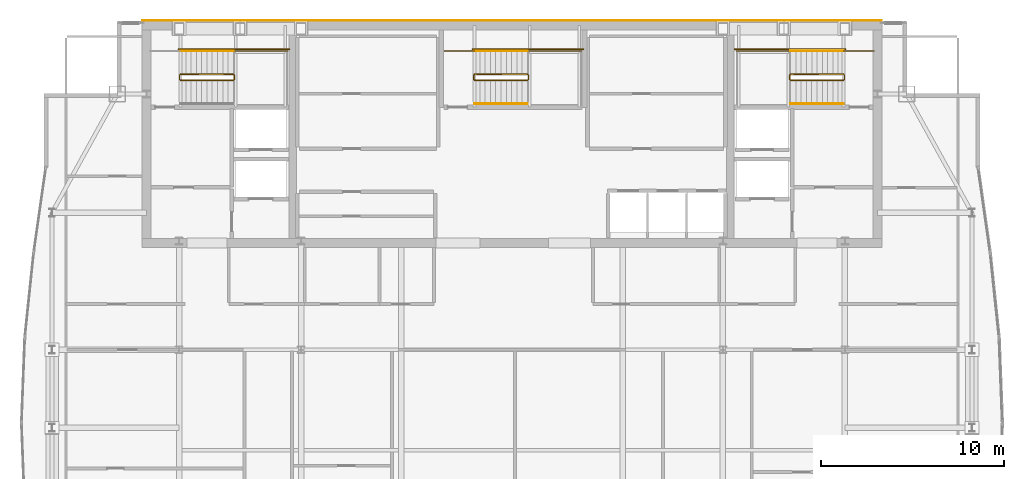
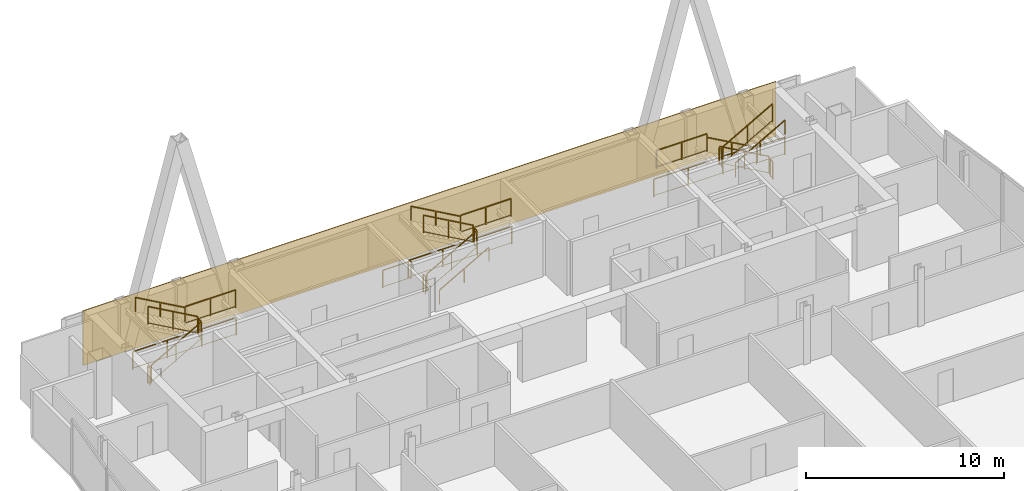
# One storey, part 29 of 29: 25 railings, 1 covering.
"""IFC4 building model written with IfcOpenShell, lengths in metres."""

from ifc_helpers import new_model, si_unit, direction, frame, origin, origin_2d, place, context, subcontext, project, spatial, polyline, rectangle, outline, extrude, material, layer, layer_set, type_object, element, save


model = new_model("IFC4")

# Units and contexts
model_context = context("Model", 3, precision=1e-05, world=origin(), true_north=direction((0.0, 1.0)))
body_context = subcontext(model_context, "Body", "Model", "MODEL_VIEW")
ifc_project = project(units=[si_unit("LENGTHUNIT", "METRE"), si_unit("AREAUNIT", "SQUARE_METRE"), si_unit("VOLUMEUNIT", "CUBIC_METRE"), si_unit("PLANEANGLEUNIT", "RADIAN"), si_unit("MASSUNIT", "GRAM", prefix="KILO")], contexts=[model_context])

# Site, building, storey
site_placement = place(None, origin())
site = spatial("IfcSite", under=ifc_project, at=site_placement, CompositionType="ELEMENT")
building_placement = place(site_placement, origin())
building = spatial("IfcBuilding", under=site, at=building_placement, Name="Khoronbel Lancet Exchange", CompositionType="ELEMENT")
storey_placement = place(building_placement, frame((0.0, 0.0, 302.199951171875)))
storey = spatial("IfcBuildingStorey", under=building, at=storey_placement, Name="L78", CompositionType="ELEMENT", Elevation=302.199951171875)

# Covering
ifc_material_1 = material(Name="Honed Egyptian Limestone & Bronze Rainscreen", Category="masonry")
ifc_layer = layer(ifc_material_1, 0.050048828125, Name="Honed Egyptian Limestone & Bronze Rainscreen")
ifc_layer_set = layer_set([ifc_layer], Name="Honed Egyptian Limestone & Bronze Rainscreen")
covering_type = type_object("IfcCoveringType", Name="COV-CLAD1", PredefinedType="CLADDING", material=ifc_layer_set)
covering_placement = place(storey_placement, origin())
element("IfcCovering", 1, at=covering_placement, inside=storey, type_object=covering_type, Name="Level L78 north rear-core stone and bronze rainscreen cladding", PredefinedType="CLADDING", context=body_context, shape_type="SweptSolid", body=[
    extrude(outline(polyline([(16.199951171875, 53.699951171875), (56.699951171875, 53.699951171875), (56.699951171875, 53.75), (16.199951171875, 53.75), (16.199951171875, 53.699951171875)])), origin(), (0.0, 0.0, 1.0), 3.380126953125),
])

# Railings
ifc_material_2 = material(Name="Painted Steel Balustrade", Category="steel")
railing_type_1 = type_object("IfcRailingType", Name="RL-STG110", PredefinedType="GUARDRAIL", material=ifc_material_2)
railing_1_placement = place(storey_placement, frame((18.300048828125, 50.449951171875, 0.16357421875)))
element("IfcRailing", 2, at=railing_1_placement, inside=storey, type_object=railing_type_1, Name="L78 ST1 stair guard 1", PredefinedType="GUARDRAIL", context=body_context, shape_type="SweptSolid", body=[
    extrude(rectangle(XDim=0.048095703125, YDim=0.048095703125, at=origin_2d()), frame((0.0, 0.0, 1.09619140625), z_axis=(0.870897200241, 0.0, 0.491465224214), x_axis=(0.0, 1.0, 0.0)), (0.0, 0.0, 1.0), 3.329833984375),
    extrude(rectangle(XDim=0.02392578125, YDim=0.02392578125, at=origin_2d()), frame((0.0, 0.0, 0.080078125), z_axis=(0.870897200241, 0.0, 0.491465224214), x_axis=(0.0, 1.0, 0.0)), (0.0, 0.0, 1.0), 3.329833984375),
    extrude(rectangle(XDim=0.0419921875, YDim=0.0419921875, at=origin_2d()), origin(), (0.0, 0.0, 1.0), 1.072021484375),
    extrude(rectangle(XDim=0.0419921875, YDim=0.0419921875, at=origin_2d()), frame((1.449951171875, 0.0, 0.818359375)), (0.0, 0.0, 1.0), 1.072021484375),
    extrude(rectangle(XDim=0.0419921875, YDim=0.0419921875, at=origin_2d()), frame((2.89990234375, 0.0, 1.636474609375)), (0.0, 0.0, 1.0), 1.072021484375),
])
railing_2_placement = place(storey_placement, frame((21.25, 50.5, 1.800048828125)))
element("IfcRailing", 3, at=railing_2_placement, inside=storey, type_object=railing_type_1, Name="L78 ST1 stair guard 2", PredefinedType="GUARDRAIL", context=body_context, shape_type="SweptSolid", body=[
    extrude(rectangle(XDim=0.048095703125, YDim=0.048095703125, at=origin_2d()), frame((0.0, 0.0, 1.09619140625), z_axis=(0.0, 1.0, 0.0), x_axis=(-1.0, 0.0, 0.0)), (0.0, 0.0, 1.0), 0.219970703125),
    extrude(rectangle(XDim=0.02392578125, YDim=0.02392578125, at=origin_2d()), frame((0.0, 0.0, 0.080078125), z_axis=(0.0, 1.0, 0.0), x_axis=(-1.0, 0.0, 0.0)), (0.0, 0.0, 1.0), 0.219970703125),
    extrude(rectangle(XDim=0.0419921875, YDim=0.0419921875, at=origin_2d()), origin(), (0.0, 0.0, 1.0), 1.072021484375),
    extrude(rectangle(XDim=0.0419921875, YDim=0.0419921875, at=origin_2d()), frame((0.0, 0.219970703125, 0.0)), (0.0, 0.0, 1.0), 1.072021484375),
])
railing_3_placement = place(storey_placement, frame((21.199951171875, 52.050048828125, 1.800048828125)))
element("IfcRailing", 4, at=railing_3_placement, inside=storey, type_object=railing_type_1, Name="L78 ST1 stair guard 3", PredefinedType="GUARDRAIL", context=body_context, shape_type="SweptSolid", body=[
    extrude(rectangle(XDim=0.048095703125, YDim=0.048095703125, at=origin_2d()), frame((0.0, 0.0, 1.09619140625), z_axis=(1.0, 0.0, 0.0), x_axis=(0.0, 1.0, 0.0)), (0.0, 0.0, 1.0), 2.949951171875),
    extrude(rectangle(XDim=0.02392578125, YDim=0.02392578125, at=origin_2d()), frame((0.0, 0.0, 0.080078125), z_axis=(1.0, 0.0, 0.0), x_axis=(0.0, 1.0, 0.0)), (0.0, 0.0, 1.0), 2.949951171875),
    extrude(rectangle(XDim=0.0419921875, YDim=0.0419921875, at=origin_2d()), origin(), (0.0, 0.0, 1.0), 1.072021484375),
    extrude(rectangle(XDim=0.0419921875, YDim=0.0419921875, at=origin_2d()), frame((1.47509765625, 0.0, 0.0)), (0.0, 0.0, 1.0), 1.072021484375),
    extrude(rectangle(XDim=0.0419921875, YDim=0.0419921875, at=origin_2d()), frame((2.949951171875, 0.0, 0.0)), (0.0, 0.0, 1.0), 1.072021484375),
])
railing_4_placement = place(storey_placement, frame((21.199951171875, 50.77001953125, 1.963623046875)))
element("IfcRailing", 5, at=railing_4_placement, inside=storey, type_object=railing_type_1, Name="L78 ST1 stair guard 4", PredefinedType="GUARDRAIL", context=body_context, shape_type="SweptSolid", body=[
    extrude(rectangle(XDim=0.048095703125, YDim=0.048095703125, at=origin_2d()), frame((0.0, 0.0, 1.09619140625), z_axis=(-0.870897200241, 0.0, 0.491465224214), x_axis=(0.0, -1.0, 0.0)), (0.0, 0.0, 1.0), 3.329833984375),
    extrude(rectangle(XDim=0.02392578125, YDim=0.02392578125, at=origin_2d()), frame((0.0, 0.0, 0.080078125), z_axis=(-0.870897200241, 0.0, 0.491465224214), x_axis=(0.0, -1.0, 0.0)), (0.0, 0.0, 1.0), 3.329833984375),
    extrude(rectangle(XDim=0.0419921875, YDim=0.0419921875, at=origin_2d()), origin(), (0.0, 0.0, 1.0), 1.072021484375),
    extrude(rectangle(XDim=0.0419921875, YDim=0.0419921875, at=origin_2d()), frame((-1.449951171875, 0.0, 0.818359375)), (0.0, 0.0, 1.0), 1.072021484375),
    extrude(rectangle(XDim=0.0419921875, YDim=0.0419921875, at=origin_2d()), frame((-2.89990234375, 0.0, 1.636474609375)), (0.0, 0.0, 1.0), 1.072021484375),
])
railing_5_placement = place(storey_placement, frame((18.25, 50.5, 0.0)))
element("IfcRailing", 6, at=railing_5_placement, inside=storey, type_object=railing_type_1, Name="L78 ST1 stair guard 5", PredefinedType="GUARDRAIL", context=body_context, shape_type="SweptSolid", body=[
    extrude(rectangle(XDim=0.048095703125, YDim=0.048095703125, at=origin_2d()), frame((0.0, 0.0, 1.09619140625), z_axis=(0.0, 1.0, 0.0), x_axis=(-1.0, 0.0, 0.0)), (0.0, 0.0, 1.0), 0.219970703125),
    extrude(rectangle(XDim=0.02392578125, YDim=0.02392578125, at=origin_2d()), frame((0.0, 0.0, 0.080078125), z_axis=(0.0, 1.0, 0.0), x_axis=(-1.0, 0.0, 0.0)), (0.0, 0.0, 1.0), 0.219970703125),
    extrude(rectangle(XDim=0.0419921875, YDim=0.0419921875, at=origin_2d()), origin(), (0.0, 0.0, 1.0), 1.072021484375),
    extrude(rectangle(XDim=0.0419921875, YDim=0.0419921875, at=origin_2d()), frame((0.0, 0.219970703125, 0.0)), (0.0, 0.0, 1.0), 1.072021484375),
])
railing_6_placement = place(storey_placement, frame((18.199951171875, 52.14990234375, 0.0)))
element("IfcRailing", 7, at=railing_6_placement, inside=storey, type_object=railing_type_1, Name="L78 ST1 stair guard 7", PredefinedType="GUARDRAIL", context=body_context, shape_type="SweptSolid", body=[
    extrude(rectangle(XDim=0.048095703125, YDim=0.048095703125, at=origin_2d()), frame((0.0, 0.0, 1.09619140625), z_axis=(1.0, 0.0, 0.0), x_axis=(0.0, 1.0, 0.0)), (0.0, 0.0, 1.0), 6.050048828125),
    extrude(rectangle(XDim=0.02392578125, YDim=0.02392578125, at=origin_2d()), frame((0.0, 0.0, 0.080078125), z_axis=(1.0, 0.0, 0.0), x_axis=(0.0, 1.0, 0.0)), (0.0, 0.0, 1.0), 6.050048828125),
    extrude(rectangle(XDim=0.0419921875, YDim=0.0419921875, at=origin_2d()), origin(), (0.0, 0.0, 1.0), 1.072021484375),
    extrude(rectangle(XDim=0.0419921875, YDim=0.0419921875, at=origin_2d()), frame((2.0166015625, 0.0, 0.0)), (0.0, 0.0, 1.0), 1.072021484375),
    extrude(rectangle(XDim=0.0419921875, YDim=0.0419921875, at=origin_2d()), frame((4.033447265625, 0.0, 0.0)), (0.0, 0.0, 1.0), 1.072021484375),
    extrude(rectangle(XDim=0.0419921875, YDim=0.0419921875, at=origin_2d()), frame((6.050048828125, 0.0, 0.0)), (0.0, 0.0, 1.0), 1.072021484375),
])
railing_7_placement = place(storey_placement, frame((54.60009765625, 50.77001953125, 0.16357421875)))
element("IfcRailing", 8, at=railing_7_placement, inside=storey, type_object=railing_type_1, Name="L78 ST2 stair guard 1", PredefinedType="GUARDRAIL", context=body_context, shape_type="SweptSolid", body=[
    extrude(rectangle(XDim=0.048095703125, YDim=0.048095703125, at=origin_2d()), frame((0.0, 0.0, 1.09619140625), z_axis=(-0.870914908162, 0.0, 0.491433843708), x_axis=(0.0, -1.0, 0.0)), (0.0, 0.0, 1.0), 3.330078125),
    extrude(rectangle(XDim=0.02392578125, YDim=0.02392578125, at=origin_2d()), frame((0.0, 0.0, 0.080078125), z_axis=(-0.870914908162, 0.0, 0.491433843708), x_axis=(0.0, -1.0, 0.0)), (0.0, 0.0, 1.0), 3.330078125),
    extrude(rectangle(XDim=0.0419921875, YDim=0.0419921875, at=origin_2d()), origin(), (0.0, 0.0, 1.0), 1.072021484375),
    extrude(rectangle(XDim=0.0419921875, YDim=0.0419921875, at=origin_2d()), frame((-1.4501953125, 0.0, 0.818359375)), (0.0, 0.0, 1.0), 1.072021484375),
    extrude(rectangle(XDim=0.0419921875, YDim=0.0419921875, at=origin_2d()), frame((-2.900146484375, 0.0, 1.636474609375)), (0.0, 0.0, 1.0), 1.072021484375),
])
railing_8_placement = place(storey_placement, frame((51.64990234375, 50.719970703125, 1.800048828125)))
element("IfcRailing", 9, at=railing_8_placement, inside=storey, type_object=railing_type_1, Name="L78 ST2 stair guard 2", PredefinedType="GUARDRAIL", context=body_context, shape_type="SweptSolid", body=[
    extrude(rectangle(XDim=0.048095703125, YDim=0.048095703125, at=origin_2d()), frame((0.0, 0.0, 1.09619140625), z_axis=(0.0, -1.0, 0.0), x_axis=(1.0, 0.0, 0.0)), (0.0, 0.0, 1.0), 0.219970703125),
    extrude(rectangle(XDim=0.02392578125, YDim=0.02392578125, at=origin_2d()), frame((0.0, 0.0, 0.080078125), z_axis=(0.0, -1.0, 0.0), x_axis=(1.0, 0.0, 0.0)), (0.0, 0.0, 1.0), 0.219970703125),
    extrude(rectangle(XDim=0.0419921875, YDim=0.0419921875, at=origin_2d()), origin(), (0.0, 0.0, 1.0), 1.072021484375),
    extrude(rectangle(XDim=0.0419921875, YDim=0.0419921875, at=origin_2d()), frame((0.0, -0.219970703125, 0.0)), (0.0, 0.0, 1.0), 1.072021484375),
])
railing_9_placement = place(storey_placement, frame((51.699951171875, 52.050048828125, 1.800048828125)))
element("IfcRailing", 10, at=railing_9_placement, inside=storey, type_object=railing_type_1, Name="L78 ST2 stair guard 3", PredefinedType="GUARDRAIL", context=body_context, shape_type="SweptSolid", body=[
    extrude(rectangle(XDim=0.048095703125, YDim=0.048095703125, at=origin_2d()), frame((0.0, 0.0, 1.09619140625), z_axis=(-1.0, 0.0, 0.0), x_axis=(0.0, -1.0, 0.0)), (0.0, 0.0, 1.0), 2.949951171875),
    extrude(rectangle(XDim=0.02392578125, YDim=0.02392578125, at=origin_2d()), frame((0.0, 0.0, 0.080078125), z_axis=(-1.0, 0.0, 0.0), x_axis=(0.0, -1.0, 0.0)), (0.0, 0.0, 1.0), 2.949951171875),
    extrude(rectangle(XDim=0.0419921875, YDim=0.0419921875, at=origin_2d()), origin(), (0.0, 0.0, 1.0), 1.072021484375),
    extrude(rectangle(XDim=0.0419921875, YDim=0.0419921875, at=origin_2d()), frame((-1.47509765625, 0.0, 0.0)), (0.0, 0.0, 1.0), 1.072021484375),
    extrude(rectangle(XDim=0.0419921875, YDim=0.0419921875, at=origin_2d()), frame((-2.949951171875, 0.0, 0.0)), (0.0, 0.0, 1.0), 1.072021484375),
])
railing_10_placement = place(storey_placement, frame((51.699951171875, 50.449951171875, 1.963623046875)))
element("IfcRailing", 11, at=railing_10_placement, inside=storey, type_object=railing_type_1, Name="L78 ST2 stair guard 4", PredefinedType="GUARDRAIL", context=body_context, shape_type="SweptSolid", body=[
    extrude(rectangle(XDim=0.048095703125, YDim=0.048095703125, at=origin_2d()), frame((0.0, 0.0, 1.09619140625), z_axis=(0.870914908162, 0.0, 0.491433843708), x_axis=(0.0, 1.0, 0.0)), (0.0, 0.0, 1.0), 3.330078125),
    extrude(rectangle(XDim=0.02392578125, YDim=0.02392578125, at=origin_2d()), frame((0.0, 0.0, 0.080078125), z_axis=(0.870914908162, 0.0, 0.491433843708), x_axis=(0.0, 1.0, 0.0)), (0.0, 0.0, 1.0), 3.330078125),
    extrude(rectangle(XDim=0.0419921875, YDim=0.0419921875, at=origin_2d()), origin(), (0.0, 0.0, 1.0), 1.072021484375),
    extrude(rectangle(XDim=0.0419921875, YDim=0.0419921875, at=origin_2d()), frame((1.4501953125, 0.0, 0.818359375)), (0.0, 0.0, 1.0), 1.072021484375),
    extrude(rectangle(XDim=0.0419921875, YDim=0.0419921875, at=origin_2d()), frame((2.900146484375, 0.0, 1.636474609375)), (0.0, 0.0, 1.0), 1.072021484375),
])
railing_11_placement = place(storey_placement, frame((54.64990234375, 50.719970703125, 0.0)))
element("IfcRailing", 12, at=railing_11_placement, inside=storey, type_object=railing_type_1, Name="L78 ST2 stair guard 5", PredefinedType="GUARDRAIL", context=body_context, shape_type="SweptSolid", body=[
    extrude(rectangle(XDim=0.048095703125, YDim=0.048095703125, at=origin_2d()), frame((0.0, 0.0, 1.09619140625), z_axis=(0.0, -1.0, 0.0), x_axis=(1.0, 0.0, 0.0)), (0.0, 0.0, 1.0), 0.219970703125),
    extrude(rectangle(XDim=0.02392578125, YDim=0.02392578125, at=origin_2d()), frame((0.0, 0.0, 0.080078125), z_axis=(0.0, -1.0, 0.0), x_axis=(1.0, 0.0, 0.0)), (0.0, 0.0, 1.0), 0.219970703125),
    extrude(rectangle(XDim=0.0419921875, YDim=0.0419921875, at=origin_2d()), origin(), (0.0, 0.0, 1.0), 1.072021484375),
    extrude(rectangle(XDim=0.0419921875, YDim=0.0419921875, at=origin_2d()), frame((0.0, -0.219970703125, 0.0)), (0.0, 0.0, 1.0), 1.072021484375),
])
railing_12_placement = place(storey_placement, frame((56.25, 52.050048828125, 0.0)))
element("IfcRailing", 13, at=railing_12_placement, inside=storey, type_object=railing_type_1, Name="L78 ST2 stair guard 6", PredefinedType="GUARDRAIL", context=body_context, shape_type="SweptSolid", body=[
    extrude(rectangle(XDim=0.048095703125, YDim=0.048095703125, at=origin_2d()), frame((0.0, 0.0, 1.09619140625), z_axis=(-1.0, 0.0, 0.0), x_axis=(0.0, -1.0, 0.0)), (0.0, 0.0, 1.0), 1.64990234375),
    extrude(rectangle(XDim=0.02392578125, YDim=0.02392578125, at=origin_2d()), frame((0.0, 0.0, 0.080078125), z_axis=(-1.0, 0.0, 0.0), x_axis=(0.0, -1.0, 0.0)), (0.0, 0.0, 1.0), 1.64990234375),
    extrude(rectangle(XDim=0.0419921875, YDim=0.0419921875, at=origin_2d()), origin(), (0.0, 0.0, 1.0), 1.072021484375),
    extrude(rectangle(XDim=0.0419921875, YDim=0.0419921875, at=origin_2d()), frame((-1.64990234375, 0.0, 0.0)), (0.0, 0.0, 1.0), 1.072021484375),
])
railing_13_placement = place(storey_placement, frame((54.699951171875, 52.14990234375, 0.0)))
element("IfcRailing", 14, at=railing_13_placement, inside=storey, type_object=railing_type_1, Name="L78 ST2 stair guard 7", PredefinedType="GUARDRAIL", context=body_context, shape_type="SweptSolid", body=[
    extrude(rectangle(XDim=0.048095703125, YDim=0.048095703125, at=origin_2d()), frame((0.0, 0.0, 1.09619140625), z_axis=(-1.0, 0.0, 0.0), x_axis=(0.0, -1.0, 0.0)), (0.0, 0.0, 1.0), 6.050048828125),
    extrude(rectangle(XDim=0.02392578125, YDim=0.02392578125, at=origin_2d()), frame((0.0, 0.0, 0.080078125), z_axis=(-1.0, 0.0, 0.0), x_axis=(0.0, -1.0, 0.0)), (0.0, 0.0, 1.0), 6.050048828125),
    extrude(rectangle(XDim=0.0419921875, YDim=0.0419921875, at=origin_2d()), origin(), (0.0, 0.0, 1.0), 1.072021484375),
    extrude(rectangle(XDim=0.0419921875, YDim=0.0419921875, at=origin_2d()), frame((-2.0166015625, 0.0, 0.0)), (0.0, 0.0, 1.0), 1.072021484375),
    extrude(rectangle(XDim=0.0419921875, YDim=0.0419921875, at=origin_2d()), frame((-4.033447265625, 0.0, 0.0)), (0.0, 0.0, 1.0), 1.072021484375),
    extrude(rectangle(XDim=0.0419921875, YDim=0.0419921875, at=origin_2d()), frame((-6.050048828125, 0.0, 0.0)), (0.0, 0.0, 1.0), 1.072021484375),
])
railing_14_placement = place(storey_placement, frame((34.39990234375, 50.449951171875, 0.16357421875)))
element("IfcRailing", 15, at=railing_14_placement, inside=storey, type_object=railing_type_1, Name="L78 ST3 stair guard 1", PredefinedType="GUARDRAIL", context=body_context, shape_type="SweptSolid", body=[
    extrude(rectangle(XDim=0.048095703125, YDim=0.048095703125, at=origin_2d()), frame((0.0, 0.0, 1.09619140625), z_axis=(0.870914908162, 0.0, 0.491433843708), x_axis=(0.0, 1.0, 0.0)), (0.0, 0.0, 1.0), 3.330078125),
    extrude(rectangle(XDim=0.02392578125, YDim=0.02392578125, at=origin_2d()), frame((0.0, 0.0, 0.080078125), z_axis=(0.870914908162, 0.0, 0.491433843708), x_axis=(0.0, 1.0, 0.0)), (0.0, 0.0, 1.0), 3.330078125),
    extrude(rectangle(XDim=0.0419921875, YDim=0.0419921875, at=origin_2d()), origin(), (0.0, 0.0, 1.0), 1.072021484375),
    extrude(rectangle(XDim=0.0419921875, YDim=0.0419921875, at=origin_2d()), frame((1.4501953125, 0.0, 0.818359375)), (0.0, 0.0, 1.0), 1.072021484375),
    extrude(rectangle(XDim=0.0419921875, YDim=0.0419921875, at=origin_2d()), frame((2.900146484375, 0.0, 1.636474609375)), (0.0, 0.0, 1.0), 1.072021484375),
])
railing_15_placement = place(storey_placement, frame((37.35009765625, 50.5, 1.800048828125)))
element("IfcRailing", 16, at=railing_15_placement, inside=storey, type_object=railing_type_1, Name="L78 ST3 stair guard 2", PredefinedType="GUARDRAIL", context=body_context, shape_type="SweptSolid", body=[
    extrude(rectangle(XDim=0.048095703125, YDim=0.048095703125, at=origin_2d()), frame((0.0, 0.0, 1.09619140625), z_axis=(0.0, 1.0, 0.0), x_axis=(-1.0, 0.0, 0.0)), (0.0, 0.0, 1.0), 0.219970703125),
    extrude(rectangle(XDim=0.02392578125, YDim=0.02392578125, at=origin_2d()), frame((0.0, 0.0, 0.080078125), z_axis=(0.0, 1.0, 0.0), x_axis=(-1.0, 0.0, 0.0)), (0.0, 0.0, 1.0), 0.219970703125),
    extrude(rectangle(XDim=0.0419921875, YDim=0.0419921875, at=origin_2d()), origin(), (0.0, 0.0, 1.0), 1.072021484375),
    extrude(rectangle(XDim=0.0419921875, YDim=0.0419921875, at=origin_2d()), frame((0.0, 0.219970703125, 0.0)), (0.0, 0.0, 1.0), 1.072021484375),
])
railing_16_placement = place(storey_placement, frame((37.300048828125, 52.050048828125, 1.800048828125)))
element("IfcRailing", 17, at=railing_16_placement, inside=storey, type_object=railing_type_1, Name="L78 ST3 stair guard 3", PredefinedType="GUARDRAIL", context=body_context, shape_type="SweptSolid", body=[
    extrude(rectangle(XDim=0.048095703125, YDim=0.048095703125, at=origin_2d()), frame((0.0, 0.0, 1.09619140625), z_axis=(1.0, 0.0, 0.0), x_axis=(0.0, 1.0, 0.0)), (0.0, 0.0, 1.0), 2.949951171875),
    extrude(rectangle(XDim=0.02392578125, YDim=0.02392578125, at=origin_2d()), frame((0.0, 0.0, 0.080078125), z_axis=(1.0, 0.0, 0.0), x_axis=(0.0, 1.0, 0.0)), (0.0, 0.0, 1.0), 2.949951171875),
    extrude(rectangle(XDim=0.0419921875, YDim=0.0419921875, at=origin_2d()), origin(), (0.0, 0.0, 1.0), 1.072021484375),
    extrude(rectangle(XDim=0.0419921875, YDim=0.0419921875, at=origin_2d()), frame((1.47509765625, 0.0, 0.0)), (0.0, 0.0, 1.0), 1.072021484375),
    extrude(rectangle(XDim=0.0419921875, YDim=0.0419921875, at=origin_2d()), frame((2.949951171875, 0.0, 0.0)), (0.0, 0.0, 1.0), 1.072021484375),
])
railing_17_placement = place(storey_placement, frame((37.300048828125, 50.77001953125, 1.963623046875)))
element("IfcRailing", 18, at=railing_17_placement, inside=storey, type_object=railing_type_1, Name="L78 ST3 stair guard 4", PredefinedType="GUARDRAIL", context=body_context, shape_type="SweptSolid", body=[
    extrude(rectangle(XDim=0.048095703125, YDim=0.048095703125, at=origin_2d()), frame((0.0, 0.0, 1.09619140625), z_axis=(-0.870914908162, 0.0, 0.491433843708), x_axis=(0.0, -1.0, 0.0)), (0.0, 0.0, 1.0), 3.330078125),
    extrude(rectangle(XDim=0.02392578125, YDim=0.02392578125, at=origin_2d()), frame((0.0, 0.0, 0.080078125), z_axis=(-0.870914908162, 0.0, 0.491433843708), x_axis=(0.0, -1.0, 0.0)), (0.0, 0.0, 1.0), 3.330078125),
    extrude(rectangle(XDim=0.0419921875, YDim=0.0419921875, at=origin_2d()), origin(), (0.0, 0.0, 1.0), 1.072021484375),
    extrude(rectangle(XDim=0.0419921875, YDim=0.0419921875, at=origin_2d()), frame((-1.4501953125, 0.0, 0.818359375)), (0.0, 0.0, 1.0), 1.072021484375),
    extrude(rectangle(XDim=0.0419921875, YDim=0.0419921875, at=origin_2d()), frame((-2.900146484375, 0.0, 1.636474609375)), (0.0, 0.0, 1.0), 1.072021484375),
])
railing_18_placement = place(storey_placement, frame((34.35009765625, 50.5, 0.0)))
element("IfcRailing", 19, at=railing_18_placement, inside=storey, type_object=railing_type_1, Name="L78 ST3 stair guard 5", PredefinedType="GUARDRAIL", context=body_context, shape_type="SweptSolid", body=[
    extrude(rectangle(XDim=0.048095703125, YDim=0.048095703125, at=origin_2d()), frame((0.0, 0.0, 1.09619140625), z_axis=(0.0, 1.0, 0.0), x_axis=(-1.0, 0.0, 0.0)), (0.0, 0.0, 1.0), 0.219970703125),
    extrude(rectangle(XDim=0.02392578125, YDim=0.02392578125, at=origin_2d()), frame((0.0, 0.0, 0.080078125), z_axis=(0.0, 1.0, 0.0), x_axis=(-1.0, 0.0, 0.0)), (0.0, 0.0, 1.0), 0.219970703125),
    extrude(rectangle(XDim=0.0419921875, YDim=0.0419921875, at=origin_2d()), origin(), (0.0, 0.0, 1.0), 1.072021484375),
    extrude(rectangle(XDim=0.0419921875, YDim=0.0419921875, at=origin_2d()), frame((0.0, 0.219970703125, 0.0)), (0.0, 0.0, 1.0), 1.072021484375),
])
railing_19_placement = place(storey_placement, frame((32.75, 52.050048828125, 0.0)))
element("IfcRailing", 20, at=railing_19_placement, inside=storey, type_object=railing_type_1, Name="L78 ST3 stair guard 6", PredefinedType="GUARDRAIL", context=body_context, shape_type="SweptSolid", body=[
    extrude(rectangle(XDim=0.048095703125, YDim=0.048095703125, at=origin_2d()), frame((0.0, 0.0, 1.09619140625), z_axis=(1.0, 0.0, 0.0), x_axis=(0.0, 1.0, 0.0)), (0.0, 0.0, 1.0), 1.64990234375),
    extrude(rectangle(XDim=0.02392578125, YDim=0.02392578125, at=origin_2d()), frame((0.0, 0.0, 0.080078125), z_axis=(1.0, 0.0, 0.0), x_axis=(0.0, 1.0, 0.0)), (0.0, 0.0, 1.0), 1.64990234375),
    extrude(rectangle(XDim=0.0419921875, YDim=0.0419921875, at=origin_2d()), origin(), (0.0, 0.0, 1.0), 1.072021484375),
    extrude(rectangle(XDim=0.0419921875, YDim=0.0419921875, at=origin_2d()), frame((1.64990234375, 0.0, 0.0)), (0.0, 0.0, 1.0), 1.072021484375),
])
railing_20_placement = place(storey_placement, frame((34.300048828125, 52.14990234375, 0.0)))
element("IfcRailing", 21, at=railing_20_placement, inside=storey, type_object=railing_type_1, Name="L78 ST3 stair guard 7", PredefinedType="GUARDRAIL", context=body_context, shape_type="SweptSolid", body=[
    extrude(rectangle(XDim=0.048095703125, YDim=0.048095703125, at=origin_2d()), frame((0.0, 0.0, 1.09619140625), z_axis=(1.0, 0.0, 0.0), x_axis=(0.0, 1.0, 0.0)), (0.0, 0.0, 1.0), 6.050048828125),
    extrude(rectangle(XDim=0.02392578125, YDim=0.02392578125, at=origin_2d()), frame((0.0, 0.0, 0.080078125), z_axis=(1.0, 0.0, 0.0), x_axis=(0.0, 1.0, 0.0)), (0.0, 0.0, 1.0), 6.050048828125),
    extrude(rectangle(XDim=0.0419921875, YDim=0.0419921875, at=origin_2d()), origin(), (0.0, 0.0, 1.0), 1.072021484375),
    extrude(rectangle(XDim=0.0419921875, YDim=0.0419921875, at=origin_2d()), frame((2.0166015625, 0.0, 0.0)), (0.0, 0.0, 1.0), 1.072021484375),
    extrude(rectangle(XDim=0.0419921875, YDim=0.0419921875, at=origin_2d()), frame((4.033447265625, 0.0, 0.0)), (0.0, 0.0, 1.0), 1.072021484375),
    extrude(rectangle(XDim=0.0419921875, YDim=0.0419921875, at=origin_2d()), frame((6.050048828125, 0.0, 0.0)), (0.0, 0.0, 1.0), 1.072021484375),
])
ifc_material_3 = material(Name="Brushed Stainless Steel 316", Category="steel")
railing_type_2 = type_object("IfcRailingType", Name="RL-STH92", PredefinedType="HANDRAIL", material=ifc_material_3)
railing_21_placement = place(storey_placement, frame((21.199951171875, 52.050048828125, 1.963623046875)))
element("IfcRailing", 22, at=railing_21_placement, inside=storey, type_object=railing_type_2, Name="L78 ST1 stair handrail 2", PredefinedType="HANDRAIL", context=body_context, shape_type="SweptSolid", body=[
    extrude(rectangle(XDim=0.048095703125, YDim=0.048095703125, at=origin_2d()), frame((0.0, 0.0, 0.8759765625), z_axis=(-0.870897200241, 0.0, 0.491465224214), x_axis=(0.0, -1.0, 0.0)), (0.0, 0.0, 1.0), 3.329833984375),
    extrude(rectangle(XDim=0.0419921875, YDim=0.0419921875, at=origin_2d()), origin(), (0.0, 0.0, 1.0), 0.851806640625),
    extrude(rectangle(XDim=0.0419921875, YDim=0.0419921875, at=origin_2d()), frame((-1.449951171875, 0.0, 0.818359375)), (0.0, 0.0, 1.0), 0.851806640625),
    extrude(rectangle(XDim=0.0419921875, YDim=0.0419921875, at=origin_2d()), frame((-2.89990234375, 0.0, 1.636474609375)), (0.0, 0.0, 1.0), 0.851806640625),
])
railing_22_placement = place(storey_placement, frame((54.60009765625, 52.050048828125, 0.16357421875)))
element("IfcRailing", 23, at=railing_22_placement, inside=storey, type_object=railing_type_2, Name="L78 ST2 stair handrail 1", PredefinedType="HANDRAIL", context=body_context, shape_type="SweptSolid", body=[
    extrude(rectangle(XDim=0.048095703125, YDim=0.048095703125, at=origin_2d()), frame((0.0, 0.0, 0.8759765625), z_axis=(-0.870914908162, 0.0, 0.491433843708), x_axis=(0.0, -1.0, 0.0)), (0.0, 0.0, 1.0), 3.330078125),
    extrude(rectangle(XDim=0.0419921875, YDim=0.0419921875, at=origin_2d()), origin(), (0.0, 0.0, 1.0), 0.851806640625),
    extrude(rectangle(XDim=0.0419921875, YDim=0.0419921875, at=origin_2d()), frame((-1.4501953125, 0.0, 0.818359375)), (0.0, 0.0, 1.0), 0.851806640625),
    extrude(rectangle(XDim=0.0419921875, YDim=0.0419921875, at=origin_2d()), frame((-2.900146484375, 0.0, 1.636474609375)), (0.0, 0.0, 1.0), 0.851806640625),
])
for number, where, name in (
    (24, (51.699951171875, 49.169921875, 1.963623046875), "L78 ST2 stair handrail 2"),
    (25, (34.39990234375, 49.169921875, 0.16357421875), "L78 ST3 stair handrail 1"),
):
    element("IfcRailing", number, at=place(storey_placement, frame(where)), inside=storey, type_object=railing_type_2, Name=name, PredefinedType="HANDRAIL", context=body_context, shape_type="SweptSolid", body=[
        extrude(rectangle(XDim=0.048095703125, YDim=0.048095703125, at=origin_2d()), frame((0.0, 0.0, 0.8759765625), z_axis=(0.870914908162, 0.0, 0.491433843708), x_axis=(0.0, 1.0, 0.0)), (0.0, 0.0, 1.0), 3.330078125),
        extrude(rectangle(XDim=0.0419921875, YDim=0.0419921875, at=origin_2d()), origin(), (0.0, 0.0, 1.0), 0.851806640625),
        extrude(rectangle(XDim=0.0419921875, YDim=0.0419921875, at=origin_2d()), frame((1.4501953125, 0.0, 0.818359375)), (0.0, 0.0, 1.0), 0.851806640625),
        extrude(rectangle(XDim=0.0419921875, YDim=0.0419921875, at=origin_2d()), frame((2.900146484375, 0.0, 1.636474609375)), (0.0, 0.0, 1.0), 0.851806640625),
    ])
railing_23_placement = place(storey_placement, frame((37.300048828125, 52.050048828125, 1.963623046875)))
element("IfcRailing", 26, at=railing_23_placement, inside=storey, type_object=railing_type_2, Name="L78 ST3 stair handrail 2", PredefinedType="HANDRAIL", context=body_context, shape_type="SweptSolid", body=[
    extrude(rectangle(XDim=0.048095703125, YDim=0.048095703125, at=origin_2d()), frame((0.0, 0.0, 0.8759765625), z_axis=(-0.870914908162, 0.0, 0.491433843708), x_axis=(0.0, -1.0, 0.0)), (0.0, 0.0, 1.0), 3.330078125),
    extrude(rectangle(XDim=0.0419921875, YDim=0.0419921875, at=origin_2d()), origin(), (0.0, 0.0, 1.0), 0.851806640625),
    extrude(rectangle(XDim=0.0419921875, YDim=0.0419921875, at=origin_2d()), frame((-1.4501953125, 0.0, 0.818359375)), (0.0, 0.0, 1.0), 0.851806640625),
    extrude(rectangle(XDim=0.0419921875, YDim=0.0419921875, at=origin_2d()), frame((-2.900146484375, 0.0, 1.636474609375)), (0.0, 0.0, 1.0), 0.851806640625),
])

save(model, "model.ifc")
